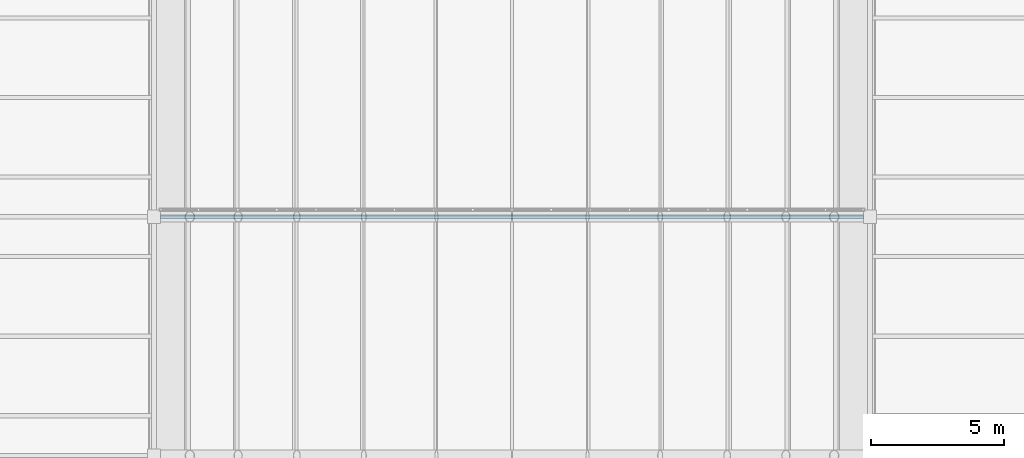
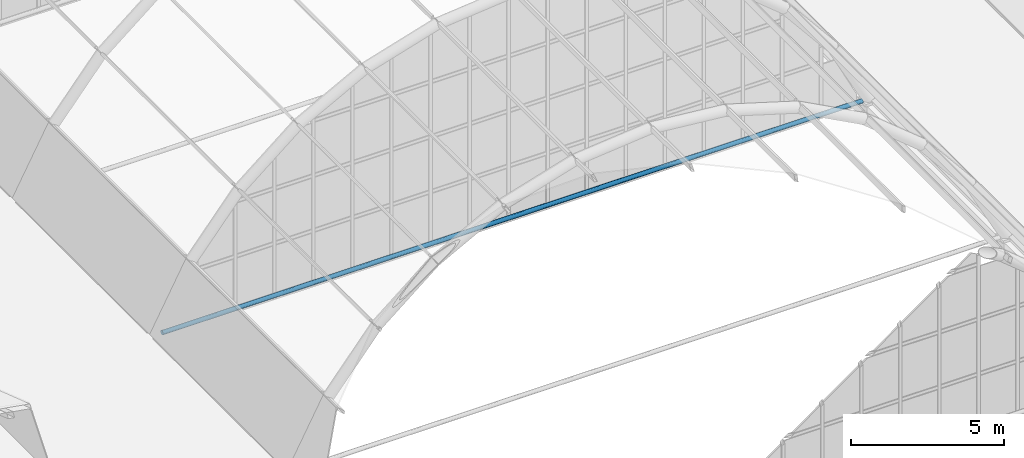
# One storey, part 36 of 121: 1 member.
"""IFC4 building model written with IfcOpenShell, lengths in metres."""

from ifc_helpers import new_model, si_unit, direction, frame, origin, origin_2d, place, context, subcontext, project, spatial, hollow_circle, extrude, material, material_profile, profile_set, type_object, element, save


model = new_model("IFC4")

# Units and contexts
model_context = context("Model", 3, precision=1e-05, world=origin(), true_north=direction((0.0, 1.0)))
body_context = subcontext(model_context, "Body", "Model", "MODEL_VIEW")
ifc_project = project(units=[si_unit("LENGTHUNIT", "METRE"), si_unit("AREAUNIT", "SQUARE_METRE"), si_unit("VOLUMEUNIT", "CUBIC_METRE"), si_unit("PLANEANGLEUNIT", "RADIAN"), si_unit("MASSUNIT", "GRAM", prefix="KILO")], contexts=[model_context])

# Site, building, storey
site_placement = place(None, origin())
site = spatial("IfcSite", under=ifc_project, at=site_placement, CompositionType="ELEMENT")
building_placement = place(site_placement, origin())
building = spatial("IfcBuilding", under=site, at=building_placement, Name="Golden Quay Civic Hall", CompositionType="ELEMENT")
storey_placement = place(building_placement, frame((0.0, 0.0, 18.60009765625)))
storey = spatial("IfcBuildingStorey", under=building, at=storey_placement, Name="L04", CompositionType="ELEMENT", Elevation=18.60009765625)

# Member
ifc_material = material(Name="Steel S355", Category="steel")
ifc_material_profile = material_profile(ifc_material, hollow_circle(Radius=0.084228515625, WallThickness=0.008056640625, at=origin_2d()), Name="CHS 168.3x8")
ifc_profile_set = profile_set([ifc_material_profile], Name="Steel S355")
member_type = type_object("IfcMemberType", Name="Steel tie rod CHS 168.3x8", PredefinedType="USERDEFINED", material=ifc_profile_set)
member_placement = place(storey_placement, frame((72.25, 36.0, 0.099853515625), z_axis=(1.0, 0.0, 0.0), x_axis=(0.0, 1.0, 0.0)))
element("IfcMember", 1, at=member_placement, inside=storey, type_object=member_type, Name="Springing tie 5", ObjectType="TIE ROD", PredefinedType="USERDEFINED", context=body_context, shape_type="SweptSolid", body=[
    extrude(hollow_circle(Radius=0.084228515625, WallThickness=0.008056640625, at=origin_2d()), origin(), (0.0, 0.0, 1.0), 26.5),
])

save(model, "model.ifc")
